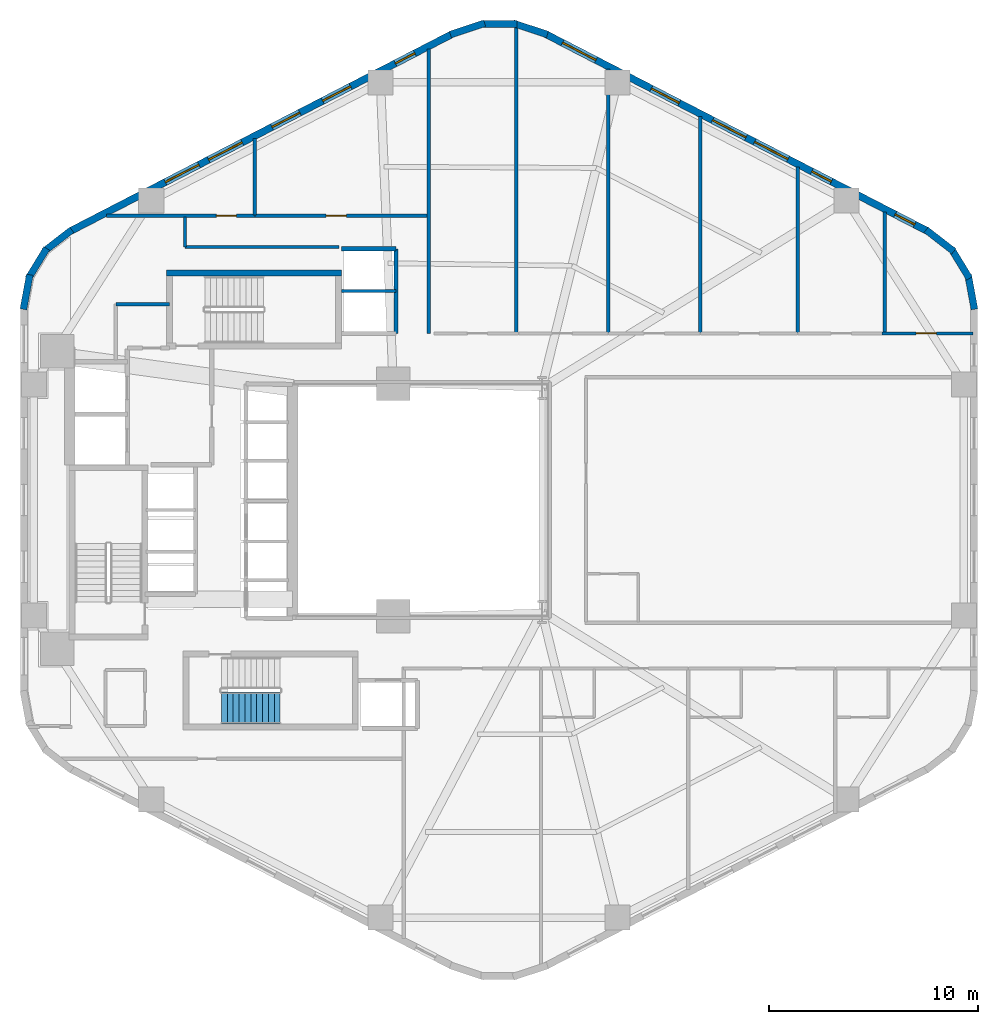
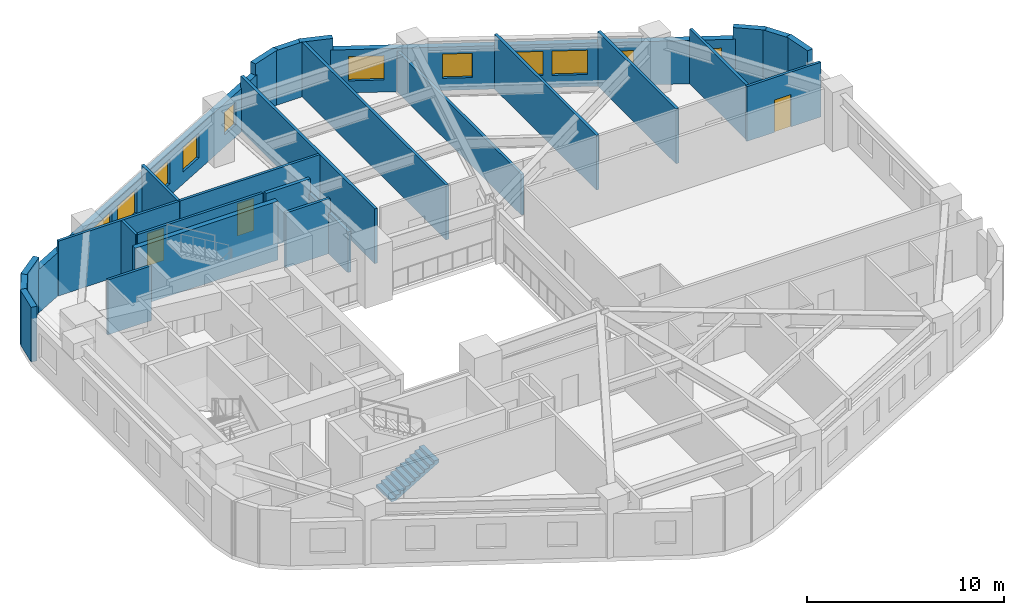
# One storey, part 5 of 7: 28 walls, 11 windows, 3 doors, 1 stair flight, 14 openings, 1 element without a shape of its own.
"""IFC4 building model written with IfcOpenShell, lengths in metres."""

from ifc_helpers import new_model, si_unit, direction, frame, frame_2d, origin, place, context, subcontext, project, spatial, polyline, rectangle, outline, extrude, material, layer, layer_set, type_object, element, fill, aggregate, save


model = new_model("IFC4")

# Units and contexts
model_context = context("Model", 3, precision=1e-05, world=origin(), true_north=direction((0.0, 1.0)))
body_context = subcontext(model_context, "Body", "Model", "MODEL_VIEW")
ifc_project = project(units=[si_unit("LENGTHUNIT", "METRE"), si_unit("AREAUNIT", "SQUARE_METRE"), si_unit("VOLUMEUNIT", "CUBIC_METRE"), si_unit("PLANEANGLEUNIT", "RADIAN"), si_unit("MASSUNIT", "GRAM", prefix="KILO"), si_unit("THERMODYNAMICTEMPERATUREUNIT", "KELVIN"), si_unit("POWERUNIT", "WATT")], contexts=[model_context])

# Site, building, storey
site_placement = place(None, origin())
site = spatial("IfcSite", under=ifc_project, at=site_placement, CompositionType="ELEMENT")
building_placement = place(site_placement, origin())
building = spatial("IfcBuilding", under=site, at=building_placement, Name="Skarre Station Tower", CompositionType="ELEMENT")
storey_placement = place(building_placement, frame((0.0, 0.0, 85.39990234375)))
storey = spatial("IfcBuildingStorey", under=building, at=storey_placement, Name="L22", CompositionType="ELEMENT", Elevation=85.39990234375)

# Wall
ifc_material_1 = material(Name="Acoustic Steel-Stud Gypsum Partition", Category="steel")
ifc_layer_1 = layer(ifc_material_1, 0.14990234375, Name="Acoustic Steel-Stud Gypsum Partition")
ifc_layer_set_1 = layer_set([ifc_layer_1], Name="Acoustic Steel-Stud Gypsum Partition")
wall_type_1 = type_object("IfcWallType", Name="Fire-Rated Corridor Acoustic Partition 150", PredefinedType="PARTITIONING", material=ifc_layer_set_1)
wall_1_placement = place(storey_placement, frame((21.659912109375, 33.35009765625, 0.0), z_axis=(0.0, 0.0, 1.0), x_axis=(-1.0, 0.0, 0.0)))
element("IfcWall", 1, at=wall_1_placement, inside=storey, type_object=wall_type_1, Name="L22 Interior Partition WL-PT-L22-CNW-N1", PredefinedType="PARTITIONING", context=body_context, shape_type="SweptSolid", body=[
    extrude(rectangle(XDim=2.559814453125, YDim=0.14990234375, at=frame_2d((1.27978515625, 0.0))), origin(), (0.0, 0.0, 1.0), 3.39013671875),
])

# Wall, opening, door
wall_2_placement = place(storey_placement, frame((25.741943359375, 37.580078125, 0.0), z_axis=(0.0, 0.0, 1.0), x_axis=(-1.0, 0.0, 0.0)))
wall_2 = element("IfcWall", 2, at=wall_2_placement, inside=storey, type_object=wall_type_1, Name="L22 Interior Partition WL-PT-L22-NWW1-CW", PredefinedType="PARTITIONING", context=body_context, shape_type="SweptSolid", body=[
    extrude(rectangle(XDim=7.092041015625, YDim=0.14990234375, at=frame_2d((3.5458984375, 0.0))), origin(), (0.0, 0.0, 1.0), 3.39013671875),
])
opening_1_placement = place(wall_2_placement, frame((0.883056640625, 0.0, 0.0)))
opening_1 = element("IfcOpeningElement", 3, at=opening_1_placement, cuts=wall_2, Name="Opening DR-FD60", PredefinedType="OPENING", context=body_context, shape_type="SweptSolid", body=[
    extrude(rectangle(XDim=0.9599609375, YDim=2.0, at=frame_2d((0.47998046875, 1.0))), frame((0.0, 0.0849609375, 0.0), z_axis=(0.0, -1.0, 0.0), x_axis=(1.0, 0.0, 0.0)), (0.0, 0.0, 1.0), 0.169921875),
])
ifc_material_2 = material(Name="Nordic White-Oak Veneer Solid-Core Fire Leaf", Category="wood")
door_type = type_object("IfcDoorType", Name="Corridor Suite Entry Fire Door FD60 960x2150", OperationType="SINGLE_SWING_LEFT", PredefinedType="DOOR", material=ifc_material_2)
door_1_placement = place(opening_1_placement, origin())
door_1 = element("IfcDoor", 4, at=door_1_placement, inside=storey, type_object=door_type, Name="L22 NWW1 Entry Door", OperationType="SINGLE_SWING_LEFT", OverallHeight=2.0, OverallWidth=0.9599609375, PredefinedType="DOOR", context=body_context, shape_type="SweptSolid", body=[
    extrude(rectangle(XDim=0.9599609375, YDim=2.0, at=frame_2d((0.47998046875, 1.0))), frame((0.0, 0.02490234375, 0.0), z_axis=(0.0, -1.0, 0.0), x_axis=(1.0, 0.0, 0.0)), (0.0, 0.0, 1.0), 0.050048828125),
])
fill(opening_1, door_1)

wall_3_placement = place(storey_placement, frame((33.9619140625, 37.580078125, 0.0), z_axis=(0.0, 0.0, 1.0), x_axis=(-1.0, 0.0, 0.0)))
wall_3 = element("IfcWall", 5, at=wall_3_placement, inside=storey, type_object=wall_type_1, Name="L22 Interior Partition WL-PT-L22-NWW2-CW", PredefinedType="PARTITIONING", context=body_context, shape_type="SweptSolid", body=[
    extrude(rectangle(XDim=8.2099609375, YDim=0.14990234375, at=frame_2d((4.10498046875, 0.0))), origin(), (0.0, 0.0, 1.0), 3.39013671875),
])
opening_2_placement = place(wall_3_placement, frame((3.85009765625, 0.0, 0.0)))
opening_2 = element("IfcOpeningElement", 6, at=opening_2_placement, cuts=wall_3, Name="Opening DR-FD60", PredefinedType="OPENING", context=body_context, shape_type="SweptSolid", body=[
    extrude(rectangle(XDim=0.9599609375, YDim=2.0, at=frame_2d((0.47998046875, 1.0))), frame((0.0, 0.0849609375, 0.0), z_axis=(0.0, -1.0, 0.0), x_axis=(1.0, 0.0, 0.0)), (0.0, 0.0, 1.0), 0.169921875),
])
door_2_placement = place(opening_2_placement, origin())
door_2 = element("IfcDoor", 7, at=door_2_placement, inside=storey, type_object=door_type, Name="L22 NWW2 Entry Door", OperationType="SINGLE_SWING_LEFT", OverallHeight=2.0, OverallWidth=0.9599609375, PredefinedType="DOOR", context=body_context, shape_type="SweptSolid", body=[
    extrude(rectangle(XDim=0.9599609375, YDim=2.0, at=frame_2d((0.47998046875, 1.0))), frame((0.0, 0.02490234375, 0.0), z_axis=(0.0, -1.0, 0.0), x_axis=(1.0, 0.0, 0.0)), (0.0, 0.0, 1.0), 0.050048828125),
])
fill(opening_2, door_2)

wall_4_placement = place(storey_placement, frame((60.031982421875, 31.9599609375, 0.0), z_axis=(0.0, 0.0, 1.0), x_axis=(-1.0, 0.0, 0.0)))
wall_4 = element("IfcWall", 8, at=wall_4_placement, inside=storey, type_object=wall_type_1, Name="L22 Interior Partition WL-PT-L22-NW6-CW", PredefinedType="PARTITIONING", context=body_context, shape_type="SweptSolid", body=[
    extrude(rectangle(XDim=4.330078125, YDim=0.14990234375, at=frame_2d((2.1650390625, 0.0))), origin(), (0.0, 0.0, 1.0), 3.39013671875),
])
opening_3_placement = place(wall_4_placement, frame((1.741943359375, 0.0, 0.0)))
opening_3 = element("IfcOpeningElement", 9, at=opening_3_placement, cuts=wall_4, Name="Opening DR-FD60", PredefinedType="OPENING", context=body_context, shape_type="SweptSolid", body=[
    extrude(rectangle(XDim=0.9599609375, YDim=2.0, at=frame_2d((0.47998046875, 1.0))), frame((0.0, 0.0849609375, 0.0), z_axis=(0.0, -1.0, 0.0), x_axis=(1.0, 0.0, 0.0)), (0.0, 0.0, 1.0), 0.169921875),
])
door_3_placement = place(opening_3_placement, origin())
door_3 = element("IfcDoor", 10, at=door_3_placement, inside=storey, type_object=door_type, Name="L22 NW6 Entry Door", OperationType="SINGLE_SWING_LEFT", OverallHeight=2.0, OverallWidth=0.9599609375, PredefinedType="DOOR", context=body_context, shape_type="SweptSolid", body=[
    extrude(rectangle(XDim=0.9599609375, YDim=2.0, at=frame_2d((0.47998046875, 1.0))), frame((0.0, 0.02490234375, 0.0), z_axis=(0.0, -1.0, 0.0), x_axis=(1.0, 0.0, 0.0)), (0.0, 0.0, 1.0), 0.050048828125),
])
fill(opening_3, door_3)

# Walls
wall_5_placement = place(storey_placement, frame((29.7529296875, 36.080078125, 0.0), z_axis=(0.0, 0.0, 1.0), x_axis=(-1.0, 0.0, 0.0)))
element("IfcWall", 11, at=wall_5_placement, inside=storey, type_object=wall_type_1, Name="L22 Interior Partition WL-PT-L22-CSEAL-1", PredefinedType="PARTITIONING", context=body_context, shape_type="SweptSolid", body=[
    extrude(rectangle(XDim=7.35302734375, YDim=0.14990234375, at=frame_2d((3.676513671875, 0.0))), origin(), (0.0, 0.0, 1.0), 3.39013671875),
])
wall_6_placement = place(storey_placement, frame((22.39990234375, 36.080078125, 0.0), z_axis=(0.0, 0.0, 1.0), x_axis=(0.0, 1.0, 0.0)))
element("IfcWall", 12, at=wall_6_placement, inside=storey, type_object=wall_type_1, Name="L22 Interior Partition WL-PT-L22-CSEAL-2", PredefinedType="PARTITIONING", context=body_context, shape_type="SweptSolid", body=[
    extrude(rectangle(XDim=1.429931640625, YDim=0.14990234375, at=frame_2d((0.71484375, 0.0))), origin(), (0.0, 0.0, 1.0), 3.39013671875),
])

# Wall, openings, windows
ifc_material_3 = material(Name="Precast concrete C45/55", Category="concrete")
ifc_layer_2 = layer(ifc_material_3, 0.340087890625, Name="Precast concrete C45/55")
ifc_layer_set_2 = layer_set([ifc_layer_2], Name="Precast concrete C45/55")
wall_type_2 = type_object("IfcWallType", Name="Nordic Honed Precast Facet Wall 340", PredefinedType="STANDARD", material=ifc_layer_set_2)
wall_7_placement = place(storey_placement, frame((39.631103515625, 46.257080078125, 0.0), z_axis=(0.0, 0.0, 1.0), x_axis=(0.888634413993, -0.458616264721, 0.0)))
wall_7 = element("IfcWall", 13, at=wall_7_placement, inside=storey, type_object=wall_type_2, Name="L22 Facet 0 Nordic Precast Masonry Wall", PredefinedType="STANDARD", context=body_context, shape_type="SweptSolid", body=[
    extrude(rectangle(XDim=20.53125, YDim=0.340087890625, at=frame_2d((10.265625, 0.0))), origin(), (0.0, 0.0, 1.0), 2.68408203125),
])
opening_4_placement = place(wall_7_placement, frame((0.906982421875, 0.0, 0.75)))
opening_4 = element("IfcOpeningElement", 14, at=opening_4_placement, cuts=wall_7, Name="Opening WN-Z1A", PredefinedType="OPENING", context=body_context, shape_type="SweptSolid", body=[
    extrude(rectangle(XDim=1.800048828125, YDim=1.5, at=frame_2d((0.89990234375, 0.75))), frame((0.0, 0.179931640625, 0.0), z_axis=(0.0, -1.0, 0.0), x_axis=(1.0, 0.0, 0.0)), (0.0, 0.0, 1.0), 0.360107421875),
])
opening_5_placement = place(wall_7_placement, frame((5.681884765625, 0.0, 0.75)))
opening_5 = element("IfcOpeningElement", 15, at=opening_5_placement, cuts=wall_7, Name="Opening WN-Z1B", PredefinedType="OPENING", context=body_context, shape_type="SweptSolid", body=[
    extrude(rectangle(XDim=1.5, YDim=1.5, at=frame_2d((0.75, 0.75))), frame((0.0, 0.179931640625, 0.0), z_axis=(0.0, -1.0, 0.0), x_axis=(1.0, 0.0, 0.0)), (0.0, 0.0, 1.0), 0.360107421875),
])
opening_6_placement = place(wall_7_placement, frame((8.970947265625, 0.0, 0.75)))
opening_6 = element("IfcOpeningElement", 16, at=opening_6_placement, cuts=wall_7, Name="Opening WN-Z1A", PredefinedType="OPENING", context=body_context, shape_type="SweptSolid", body=[
    extrude(rectangle(XDim=1.800048828125, YDim=1.5, at=frame_2d((0.89990234375, 0.75))), frame((0.0, 0.179931640625, 0.0), z_axis=(0.0, -1.0, 0.0), x_axis=(1.0, 0.0, 0.0)), (0.0, 0.0, 1.0), 0.360107421875),
])
opening_7_placement = place(wall_7_placement, frame((11.22900390625, 0.0, 0.75)))
opening_7 = element("IfcOpeningElement", 17, at=opening_7_placement, cuts=wall_7, Name="Opening WN-Z1A", PredefinedType="OPENING", context=body_context, shape_type="SweptSolid", body=[
    extrude(rectangle(XDim=1.800048828125, YDim=1.5, at=frame_2d((0.89990234375, 0.75))), frame((0.0, 0.179931640625, 0.0), z_axis=(0.0, -1.0, 0.0), x_axis=(1.0, 0.0, 0.0)), (0.0, 0.0, 1.0), 0.360107421875),
])
opening_8_placement = place(wall_7_placement, frame((14.30908203125, 0.0, 0.75)))
opening_8 = element("IfcOpeningElement", 18, at=opening_8_placement, cuts=wall_7, Name="Opening WN-SLT", PredefinedType="OPENING", context=body_context, shape_type="SweptSolid", body=[
    extrude(rectangle(XDim=1.050048828125, YDim=1.39990234375, at=frame_2d((0.52490234375, 0.699951171875))), frame((0.0, 0.179931640625, 0.0), z_axis=(0.0, -1.0, 0.0), x_axis=(1.0, 0.0, 0.0)), (0.0, 0.0, 1.0), 0.360107421875),
])
opening_9_placement = place(wall_7_placement, frame((18.7880859375, 0.0, 0.75)))
opening_9 = element("IfcOpeningElement", 19, at=opening_9_placement, cuts=wall_7, Name="Opening WN-SLT", PredefinedType="OPENING", context=body_context, shape_type="SweptSolid", body=[
    extrude(rectangle(XDim=1.050048828125, YDim=1.39990234375, at=frame_2d((0.52490234375, 0.699951171875))), frame((0.0, 0.179931640625, 0.0), z_axis=(0.0, -1.0, 0.0), x_axis=(1.0, 0.0, 0.0)), (0.0, 0.0, 1.0), 0.360107421875),
])
ifc_material_4 = material(Name="Low-Iron Triple Glazing with Bronze Anodized Frame", Category="glass")
window_type_1 = type_object("IfcWindowType", Name="Nordic Corner Slot Window 1050x1400", PartitioningType="SINGLE_PANEL", PredefinedType="WINDOW", material=ifc_material_4)
window_1_placement = place(opening_8_placement, origin())
window_1 = element("IfcWindow", 20, at=window_1_placement, inside=storey, type_object=window_type_1, Name="L22 Facade Window WL-FAC-L22-F0-5", OverallHeight=1.39990234375, OverallWidth=1.050048828125, PartitioningType="SINGLE_PANEL", PredefinedType="WINDOW", context=body_context, shape_type="SweptSolid", body=[
    extrude(rectangle(XDim=1.050048828125, YDim=1.39990234375, at=frame_2d((0.52490234375, 0.699951171875))), frame((0.0, 0.030029296875, 0.0), z_axis=(0.0, -1.0, 0.0), x_axis=(1.0, 0.0, 0.0)), (0.0, 0.0, 1.0), 0.06005859375),
])
fill(opening_8, window_1)
window_2_placement = place(opening_9_placement, origin())
window_2 = element("IfcWindow", 21, at=window_2_placement, inside=storey, type_object=window_type_1, Name="L22 Facade Window WL-FAC-L22-F0-6", OverallHeight=1.39990234375, OverallWidth=1.050048828125, PartitioningType="SINGLE_PANEL", PredefinedType="WINDOW", context=body_context, shape_type="SweptSolid", body=[
    extrude(rectangle(XDim=1.050048828125, YDim=1.39990234375, at=frame_2d((0.52490234375, 0.699951171875))), frame((0.0, 0.030029296875, 0.0), z_axis=(0.0, -1.0, 0.0), x_axis=(1.0, 0.0, 0.0)), (0.0, 0.0, 1.0), 0.06005859375),
])
fill(opening_9, window_2)
window_type_2 = type_object("IfcWindowType", Name="Nordic Punched Triple-Glazed Window 1500x1500", PartitioningType="SINGLE_PANEL", PredefinedType="WINDOW", material=ifc_material_4)
window_3_placement = place(opening_5_placement, origin())
window_3 = element("IfcWindow", 22, at=window_3_placement, inside=storey, type_object=window_type_2, Name="L22 Facade Window WL-FAC-L22-F0-2", OverallHeight=1.5, OverallWidth=1.5, PartitioningType="SINGLE_PANEL", PredefinedType="WINDOW", context=body_context, shape_type="SweptSolid", body=[
    extrude(rectangle(XDim=1.5, YDim=1.5, at=frame_2d((0.75, 0.75))), frame((0.0, 0.030029296875, 0.0), z_axis=(0.0, -1.0, 0.0), x_axis=(1.0, 0.0, 0.0)), (0.0, 0.0, 1.0), 0.06005859375),
])
fill(opening_5, window_3)
window_type_3 = type_object("IfcWindowType", Name="Nordic Punched Triple-Glazed Window 1800x1500", PartitioningType="SINGLE_PANEL", PredefinedType="WINDOW", material=ifc_material_4)
window_4_placement = place(opening_4_placement, origin())
window_4 = element("IfcWindow", 23, at=window_4_placement, inside=storey, type_object=window_type_3, Name="L22 Facade Window WL-FAC-L22-F0-1", OverallHeight=1.5, OverallWidth=1.800048828125, PartitioningType="SINGLE_PANEL", PredefinedType="WINDOW", context=body_context, shape_type="SweptSolid", body=[
    extrude(rectangle(XDim=1.800048828125, YDim=1.5, at=frame_2d((0.89990234375, 0.75))), frame((0.0, 0.030029296875, 0.0), z_axis=(0.0, -1.0, 0.0), x_axis=(1.0, 0.0, 0.0)), (0.0, 0.0, 1.0), 0.06005859375),
])
fill(opening_4, window_4)
window_5_placement = place(opening_6_placement, origin())
window_5 = element("IfcWindow", 24, at=window_5_placement, inside=storey, type_object=window_type_3, Name="L22 Facade Window WL-FAC-L22-F0-3", OverallHeight=1.5, OverallWidth=1.800048828125, PartitioningType="SINGLE_PANEL", PredefinedType="WINDOW", context=body_context, shape_type="SweptSolid", body=[
    extrude(rectangle(XDim=1.800048828125, YDim=1.5, at=frame_2d((0.89990234375, 0.75))), frame((0.0, 0.030029296875, 0.0), z_axis=(0.0, -1.0, 0.0), x_axis=(1.0, 0.0, 0.0)), (0.0, 0.0, 1.0), 0.06005859375),
])
fill(opening_6, window_5)
window_6_placement = place(opening_7_placement, origin())
window_6 = element("IfcWindow", 25, at=window_6_placement, inside=storey, type_object=window_type_3, Name="L22 Facade Window WL-FAC-L22-F0-4", OverallHeight=1.5, OverallWidth=1.800048828125, PartitioningType="SINGLE_PANEL", PredefinedType="WINDOW", context=body_context, shape_type="SweptSolid", body=[
    extrude(rectangle(XDim=1.800048828125, YDim=1.5, at=frame_2d((0.89990234375, 0.75))), frame((0.0, 0.030029296875, 0.0), z_axis=(0.0, -1.0, 0.0), x_axis=(1.0, 0.0, 0.0)), (0.0, 0.0, 1.0), 0.06005859375),
])
fill(opening_7, window_6)

wall_8_placement = place(storey_placement, frame((16.924072265625, 36.841064453125, 0.0), z_axis=(0.0, 0.0, 1.0), x_axis=(0.888634413993, 0.458616264721, 0.0)))
wall_8 = element("IfcWall", 26, at=wall_8_placement, inside=storey, type_object=wall_type_2, Name="L22 Facet 1 Nordic Precast Masonry Wall", PredefinedType="STANDARD", context=body_context, shape_type="SweptSolid", body=[
    extrude(rectangle(XDim=20.53125, YDim=0.340087890625, at=frame_2d((10.265625, 0.0))), origin(), (0.0, 0.0, 1.0), 2.68408203125),
])
opening_10_placement = place(wall_8_placement, frame((5.111083984375, 0.0, 0.75)))
opening_10 = element("IfcOpeningElement", 27, at=opening_10_placement, cuts=wall_8, Name="Opening WN-Z1A", PredefinedType="OPENING", context=body_context, shape_type="SweptSolid", body=[
    extrude(rectangle(XDim=1.800048828125, YDim=1.5, at=frame_2d((0.89990234375, 0.75))), frame((0.0, 0.179931640625, 0.0), z_axis=(0.0, -1.0, 0.0), x_axis=(1.0, 0.0, 0.0)), (0.0, 0.0, 1.0), 0.360107421875),
])
opening_11_placement = place(wall_8_placement, frame((7.43994140625, 0.0, 0.75)))
opening_11 = element("IfcOpeningElement", 28, at=opening_11_placement, cuts=wall_8, Name="Opening WN-Z1A", PredefinedType="OPENING", context=body_context, shape_type="SweptSolid", body=[
    extrude(rectangle(XDim=1.800048828125, YDim=1.5, at=frame_2d((0.89990234375, 0.75))), frame((0.0, 0.179931640625, 0.0), z_axis=(0.0, -1.0, 0.0), x_axis=(1.0, 0.0, 0.0)), (0.0, 0.0, 1.0), 0.360107421875),
])
opening_12_placement = place(wall_8_placement, frame((10.843017578125, 0.0, 0.75)))
opening_12 = element("IfcOpeningElement", 29, at=opening_12_placement, cuts=wall_8, Name="Opening WN-Z1B", PredefinedType="OPENING", context=body_context, shape_type="SweptSolid", body=[
    extrude(rectangle(XDim=1.5, YDim=1.5, at=frame_2d((0.75, 0.75))), frame((0.0, 0.179931640625, 0.0), z_axis=(0.0, -1.0, 0.0), x_axis=(1.0, 0.0, 0.0)), (0.0, 0.0, 1.0), 0.360107421875),
])
opening_13_placement = place(wall_8_placement, frame((13.571044921875, 0.0, 0.75)))
opening_13 = element("IfcOpeningElement", 30, at=opening_13_placement, cuts=wall_8, Name="Opening WN-Z1B", PredefinedType="OPENING", context=body_context, shape_type="SweptSolid", body=[
    extrude(rectangle(XDim=1.5, YDim=1.5, at=frame_2d((0.75, 0.75))), frame((0.0, 0.179931640625, 0.0), z_axis=(0.0, -1.0, 0.0), x_axis=(1.0, 0.0, 0.0)), (0.0, 0.0, 1.0), 0.360107421875),
])
opening_14_placement = place(wall_8_placement, frame((17.47607421875, 0.0, 0.75)))
opening_14 = element("IfcOpeningElement", 31, at=opening_14_placement, cuts=wall_8, Name="Opening WN-SLT", PredefinedType="OPENING", context=body_context, shape_type="SweptSolid", body=[
    extrude(rectangle(XDim=1.050048828125, YDim=1.39990234375, at=frame_2d((0.52490234375, 0.699951171875))), frame((0.0, 0.179931640625, 0.0), z_axis=(0.0, -1.0, 0.0), x_axis=(1.0, 0.0, 0.0)), (0.0, 0.0, 1.0), 0.360107421875),
])
window_7_placement = place(opening_14_placement, origin())
window_7 = element("IfcWindow", 32, at=window_7_placement, inside=storey, type_object=window_type_1, Name="L22 Facade Window WL-FAC-L22-F1-5", OverallHeight=1.39990234375, OverallWidth=1.050048828125, PartitioningType="SINGLE_PANEL", PredefinedType="WINDOW", context=body_context, shape_type="SweptSolid", body=[
    extrude(rectangle(XDim=1.050048828125, YDim=1.39990234375, at=frame_2d((0.52490234375, 0.699951171875))), frame((0.0, 0.030029296875, 0.0), z_axis=(0.0, -1.0, 0.0), x_axis=(1.0, 0.0, 0.0)), (0.0, 0.0, 1.0), 0.06005859375),
])
fill(opening_14, window_7)
window_8_placement = place(opening_12_placement, origin())
window_8 = element("IfcWindow", 33, at=window_8_placement, inside=storey, type_object=window_type_2, Name="L22 Facade Window WL-FAC-L22-F1-3", OverallHeight=1.5, OverallWidth=1.5, PartitioningType="SINGLE_PANEL", PredefinedType="WINDOW", context=body_context, shape_type="SweptSolid", body=[
    extrude(rectangle(XDim=1.5, YDim=1.5, at=frame_2d((0.75, 0.75))), frame((0.0, 0.030029296875, 0.0), z_axis=(0.0, -1.0, 0.0), x_axis=(1.0, 0.0, 0.0)), (0.0, 0.0, 1.0), 0.06005859375),
])
fill(opening_12, window_8)
window_9_placement = place(opening_13_placement, origin())
window_9 = element("IfcWindow", 34, at=window_9_placement, inside=storey, type_object=window_type_2, Name="L22 Facade Window WL-FAC-L22-F1-4", OverallHeight=1.5, OverallWidth=1.5, PartitioningType="SINGLE_PANEL", PredefinedType="WINDOW", context=body_context, shape_type="SweptSolid", body=[
    extrude(rectangle(XDim=1.5, YDim=1.5, at=frame_2d((0.75, 0.75))), frame((0.0, 0.030029296875, 0.0), z_axis=(0.0, -1.0, 0.0), x_axis=(1.0, 0.0, 0.0)), (0.0, 0.0, 1.0), 0.06005859375),
])
fill(opening_13, window_9)
window_10_placement = place(opening_10_placement, origin())
window_10 = element("IfcWindow", 35, at=window_10_placement, inside=storey, type_object=window_type_3, Name="L22 Facade Window WL-FAC-L22-F1-1", OverallHeight=1.5, OverallWidth=1.800048828125, PartitioningType="SINGLE_PANEL", PredefinedType="WINDOW", context=body_context, shape_type="SweptSolid", body=[
    extrude(rectangle(XDim=1.800048828125, YDim=1.5, at=frame_2d((0.89990234375, 0.75))), frame((0.0, 0.030029296875, 0.0), z_axis=(0.0, -1.0, 0.0), x_axis=(1.0, 0.0, 0.0)), (0.0, 0.0, 1.0), 0.06005859375),
])
fill(opening_10, window_10)
window_11_placement = place(opening_11_placement, origin())
window_11 = element("IfcWindow", 36, at=window_11_placement, inside=storey, type_object=window_type_3, Name="L22 Facade Window WL-FAC-L22-F1-2", OverallHeight=1.5, OverallWidth=1.800048828125, PartitioningType="SINGLE_PANEL", PredefinedType="WINDOW", context=body_context, shape_type="SweptSolid", body=[
    extrude(rectangle(XDim=1.800048828125, YDim=1.5, at=frame_2d((0.89990234375, 0.75))), frame((0.0, 0.030029296875, 0.0), z_axis=(0.0, -1.0, 0.0), x_axis=(1.0, 0.0, 0.0)), (0.0, 0.0, 1.0), 0.06005859375),
])
fill(opening_11, window_11)

# Walls
ifc_layer_3 = layer(ifc_material_3, 0.330078125, Name="Precast concrete C45/55")
ifc_layer_set_3 = layer_set([ifc_layer_3], Name="Precast concrete C45/55")
wall_type_3 = type_object("IfcWallType", Name="Nordic Rounded Corner Precast Wall 330", PredefinedType="STANDARD", material=ifc_layer_set_3)
wall_9_placement = place(storey_placement, frame((57.802001953125, 36.90087890625, 0.0), z_axis=(0.0, 0.0, 1.0), x_axis=(0.790691856293, -0.61221433207, 0.0)))
element("IfcWall", 37, at=wall_9_placement, inside=storey, type_object=wall_type_3, Name="L22 Rounded Corner Precast Wall F0-1", PredefinedType="STANDARD", context=body_context, shape_type="SweptSolid", body=[
    extrude(rectangle(XDim=1.67578125, YDim=0.330078125, at=frame_2d((0.837890625, 0.0))), origin(), (0.0, 0.0, 1.0), 3.39013671875),
])
wall_10_placement = place(storey_placement, frame((59.001953125, 36.014892578125, 0.0), z_axis=(0.0, 0.0, 1.0), x_axis=(0.520584129191, -0.853810379671, 0.0)))
element("IfcWall", 38, at=wall_10_placement, inside=storey, type_object=wall_type_3, Name="L22 Rounded Corner Precast Wall F0-2", PredefinedType="STANDARD", context=body_context, shape_type="SweptSolid", body=[
    extrude(rectangle(XDim=1.677001953125, YDim=0.330078125, at=frame_2d((0.83837890625, 0.0))), origin(), (0.0, 0.0, 1.0), 3.39013671875),
])
wall_11_placement = place(storey_placement, frame((59.80810546875, 34.758056640625, 0.0), z_axis=(0.0, 0.0, 1.0), x_axis=(0.181714143354, -0.983351397063, 0.0)))
element("IfcWall", 39, at=wall_11_placement, inside=storey, type_object=wall_type_3, Name="L22 Rounded Corner Precast Wall F0-3", PredefinedType="STANDARD", context=body_context, shape_type="SweptSolid", body=[
    extrude(rectangle(XDim=1.677978515625, YDim=0.330078125, at=frame_2d((0.8388671875, 0.0))), origin(), (0.0, 0.0, 1.0), 3.39013671875),
])
wall_12_placement = place(storey_placement, frame((35.0810546875, 46.23095703125, 0.0), z_axis=(0.0, 0.0, 1.0), x_axis=(0.94976901097, 0.312951794691, 0.0)))
element("IfcWall", 40, at=wall_12_placement, inside=storey, type_object=wall_type_3, Name="L22 Rounded Corner Precast Wall F1-1", PredefinedType="STANDARD", context=body_context, shape_type="SweptSolid", body=[
    extrude(rectangle(XDim=1.722412109375, YDim=0.330078125, at=frame_2d((0.861328125, 0.0))), origin(), (0.0, 0.0, 1.0), 3.39013671875),
])
wall_13_placement = place(storey_placement, frame((36.5390625, 46.740966796875, 0.0), z_axis=(0.0, 0.0, 1.0), x_axis=(1.0, 0.0, 0.0)))
element("IfcWall", 41, at=wall_13_placement, inside=storey, type_object=wall_type_3, Name="L22 Rounded Corner Precast Wall F1-2", PredefinedType="STANDARD", context=body_context, shape_type="SweptSolid", body=[
    extrude(rectangle(XDim=1.721923828125, YDim=0.330078125, at=frame_2d((0.86083984375, 0.0))), origin(), (0.0, 0.0, 1.0), 3.39013671875),
])
wall_14_placement = place(storey_placement, frame((38.0830078125, 46.77001953125, 0.0), z_axis=(0.0, 0.0, 1.0), x_axis=(0.94976901097, -0.312951794691, 0.0)))
element("IfcWall", 42, at=wall_14_placement, inside=storey, type_object=wall_type_3, Name="L22 Rounded Corner Precast Wall F1-3", PredefinedType="STANDARD", context=body_context, shape_type="SweptSolid", body=[
    extrude(rectangle(XDim=1.722412109375, YDim=0.330078125, at=frame_2d((0.861328125, 0.0))), origin(), (0.0, 0.0, 1.0), 3.39013671875),
])
wall_15_placement = place(storey_placement, frame((14.68701171875, 33.10791015625, 0.0), z_axis=(0.0, 0.0, 1.0), x_axis=(0.181714143354, 0.983351397063, 0.0)))
element("IfcWall", 43, at=wall_15_placement, inside=storey, type_object=wall_type_3, Name="L22 Rounded Corner Precast Wall F2-1", PredefinedType="STANDARD", context=body_context, shape_type="SweptSolid", body=[
    extrude(rectangle(XDim=1.677978515625, YDim=0.330078125, at=frame_2d((0.8388671875, 0.0))), origin(), (0.0, 0.0, 1.0), 3.39013671875),
])
wall_16_placement = place(storey_placement, frame((14.925048828125, 34.5830078125, 0.0), z_axis=(0.0, 0.0, 1.0), x_axis=(0.520584129191, 0.853810379671, 0.0)))
element("IfcWall", 44, at=wall_16_placement, inside=storey, type_object=wall_type_3, Name="L22 Rounded Corner Precast Wall F2-2", PredefinedType="STANDARD", context=body_context, shape_type="SweptSolid", body=[
    extrude(rectangle(XDim=1.677001953125, YDim=0.330078125, at=frame_2d((0.83837890625, 0.0))), origin(), (0.0, 0.0, 1.0), 3.39013671875),
])
wall_17_placement = place(storey_placement, frame((15.673095703125, 35.875, 0.0), z_axis=(0.0, 0.0, 1.0), x_axis=(0.790691856293, 0.61221433207, 0.0)))
element("IfcWall", 45, at=wall_17_placement, inside=storey, type_object=wall_type_3, Name="L22 Rounded Corner Precast Wall F2-3", PredefinedType="STANDARD", context=body_context, shape_type="SweptSolid", body=[
    extrude(rectangle(XDim=1.67578125, YDim=0.330078125, at=frame_2d((0.837890625, 0.0))), origin(), (0.0, 0.0, 1.0), 3.39013671875),
])
ifc_material_5 = material(Name="Concrete C50/60", Category="concrete")
ifc_layer_4 = layer(ifc_material_5, 0.280029296875, Name="Concrete C50/60")
ifc_layer_set_4 = layer_set([ifc_layer_4], Name="Concrete C50/60")
wall_type_4 = type_object("IfcWallType", Name="RC Core Shear Wall 280", PredefinedType="SHEAR", material=ifc_layer_set_4)
wall_18_placement = place(storey_placement, frame((29.8798828125, 34.840087890625, 0.0), z_axis=(0.0, 0.0, 1.0), x_axis=(-1.0, 0.0, 0.0)))
element("IfcWall", 46, at=wall_18_placement, inside=storey, type_object=wall_type_4, Name="L22 Stair ST-3 North Shear Wall", PredefinedType="SHEAR", context=body_context, shape_type="SweptSolid", body=[
    extrude(rectangle(XDim=8.35986328125, YDim=0.280029296875, at=frame_2d((4.179931640625, 0.0))), origin(), (0.0, 0.0, 1.0), 3.650146484375),
])
ifc_material_6 = material(Name="Gypsum Concrete Shaft Assembly C30/37", Category="concrete")
ifc_layer_5 = layer(ifc_material_6, 0.199951171875, Name="Gypsum Concrete Shaft Assembly C30/37")
ifc_layer_set_5 = layer_set([ifc_layer_5], Name="Gypsum Concrete Shaft Assembly C30/37")
wall_type_5 = type_object("IfcWallType", Name="Shaft & Core Fire Partition 200", PredefinedType="PARTITIONING", material=ifc_layer_set_5)
wall_19_placement = place(storey_placement, frame((32.47998046875, 31.949951171875, 0.0), z_axis=(0.0, 0.0, 1.0), x_axis=(0.0, 1.0, 0.0)))
element("IfcWall", 47, at=wall_19_placement, inside=storey, type_object=wall_type_5, Name="L22 Interior Partition WL-PT-L22-EX-E", PredefinedType="PARTITIONING", context=body_context, shape_type="SweptSolid", body=[
    extrude(rectangle(XDim=4.050048828125, YDim=0.199951171875, at=frame_2d((2.02490234375, 0.0))), origin(), (0.0, 0.0, 1.0), 2.51318359375),
])
wall_20_placement = place(storey_placement, frame((29.8798828125, 36.0, 0.0), z_axis=(0.0, 0.0, 1.0), x_axis=(1.0, 0.0, 0.0)))
element("IfcWall", 48, at=wall_20_placement, inside=storey, type_object=wall_type_5, Name="L22 Interior Partition WL-PT-L22-EX-N", PredefinedType="PARTITIONING", context=body_context, shape_type="SweptSolid", body=[
    extrude(rectangle(XDim=2.60009765625, YDim=0.199951171875, at=frame_2d((1.300048828125, 0.0))), origin(), (0.0, 0.0, 1.0), 3.39013671875),
])
wall_21_placement = place(storey_placement, frame((29.875, 33.97998046875, 0.0), z_axis=(0.0, 0.0, 1.0), x_axis=(1.0, 0.0, 0.0)))
element("IfcWall", 49, at=wall_21_placement, inside=storey, type_object=wall_type_5, Name="L22 Interior Partition WL-PT-L22-EX-DIV", PredefinedType="PARTITIONING", context=body_context, shape_type="SweptSolid", body=[
    extrude(rectangle(XDim=2.60498046875, YDim=0.159912109375, at=frame_2d((1.302490234375, 0.0))), origin(), (0.0, 0.0, 1.0), 3.39013671875),
])
ifc_layer_6 = layer(ifc_material_1, 0.1650390625, Name="Acoustic Steel-Stud Gypsum Partition")
ifc_layer_set_6 = layer_set([ifc_layer_6], Name="Acoustic Steel-Stud Gypsum Partition")
wall_type_6 = type_object("IfcWallType", Name="Suite Demising Acoustic Partition 165", PredefinedType="PARTITIONING", material=ifc_layer_set_6)
wall_22_placement = place(storey_placement, frame((25.7470703125, 37.610107421875, 0.0), z_axis=(0.0, 0.0, 1.0), x_axis=(0.0, 1.0, 0.0)))
element("IfcWall", 50, at=wall_22_placement, inside=storey, type_object=wall_type_6, Name="L22 Interior Partition WL-PT-L22-NWW-P1", PredefinedType="PARTITIONING", context=body_context, shape_type="SweptSolid", body=[
    extrude(rectangle(XDim=3.64892578125, YDim=0.1650390625, at=frame_2d((1.824462890625, 0.0))), origin(), (0.0, 0.0, 1.0), 3.39013671875),
])
wall_23_placement = place(storey_placement, frame((34.0400390625, 31.9599609375, 0.0), z_axis=(0.0, 0.0, 1.0), x_axis=(0.0, 1.0, 0.0)))
element("IfcWall", 51, at=wall_23_placement, inside=storey, type_object=wall_type_6, Name="L22 Interior Partition WL-PT-L22-NW-WBND", PredefinedType="PARTITIONING", context=body_context, shape_type="SweptSolid", body=[
    extrude(rectangle(XDim=13.5791015625, YDim=0.1650390625, at=frame_2d((6.78955078125, 0.0))), origin(), (0.0, 0.0, 1.0), 3.39013671875),
])
wall_24_placement = place(storey_placement, frame((38.220947265625, 31.969970703125, 0.0), z_axis=(0.0, 0.0, 1.0), x_axis=(0.0, 1.0, 0.0)))
element("IfcWall", 52, at=wall_24_placement, inside=storey, type_object=wall_type_6, Name="L22 Interior Partition WL-PT-L22-NW-P1", PredefinedType="PARTITIONING", context=body_context, shape_type="SweptSolid", body=[
    extrude(rectangle(XDim=14.6220703125, YDim=0.1650390625, at=frame_2d((7.31103515625, 0.0))), origin(), (0.0, 0.0, 1.0), 3.39013671875),
])
wall_25_placement = place(storey_placement, frame((42.62109375, 31.969970703125, 0.0), z_axis=(0.0, 0.0, 1.0), x_axis=(0.0, 1.0, 0.0)))
element("IfcWall", 53, at=wall_25_placement, inside=storey, type_object=wall_type_6, Name="L22 Interior Partition WL-PT-L22-NW-P2", PredefinedType="PARTITIONING", context=body_context, shape_type="SweptSolid", body=[
    extrude(rectangle(XDim=12.609130859375, YDim=0.1650390625, at=frame_2d((6.3046875, 0.0))), origin(), (0.0, 0.0, 1.0), 2.51318359375),
])
wall_26_placement = place(storey_placement, frame((47.02197265625, 31.969970703125, 0.0), z_axis=(0.0, 0.0, 1.0), x_axis=(0.0, 1.0, 0.0)))
element("IfcWall", 54, at=wall_26_placement, inside=storey, type_object=wall_type_6, Name="L22 Interior Partition WL-PT-L22-NW-P3", PredefinedType="PARTITIONING", context=body_context, shape_type="SweptSolid", body=[
    extrude(rectangle(XDim=10.338134765625, YDim=0.1650390625, at=frame_2d((5.1689453125, 0.0))), origin(), (0.0, 0.0, 1.0), 3.39013671875),
])
wall_27_placement = place(storey_placement, frame((51.679931640625, 31.969970703125, 0.0), z_axis=(0.0, 0.0, 1.0), x_axis=(0.0, 1.0, 0.0)))
element("IfcWall", 55, at=wall_27_placement, inside=storey, type_object=wall_type_6, Name="L22 Interior Partition WL-PT-L22-NW-P4", PredefinedType="PARTITIONING", context=body_context, shape_type="SweptSolid", body=[
    extrude(rectangle(XDim=7.93408203125, YDim=0.1650390625, at=frame_2d((3.967041015625, 0.0))), origin(), (0.0, 0.0, 1.0), 3.39013671875),
])
wall_28_placement = place(storey_placement, frame((55.822021484375, 31.969970703125, 0.0), z_axis=(0.0, 0.0, 1.0), x_axis=(0.0, 1.0, 0.0)))
element("IfcWall", 56, at=wall_28_placement, inside=storey, type_object=wall_type_6, Name="L22 Interior Partition WL-PT-L22-NW-P5", PredefinedType="PARTITIONING", context=body_context, shape_type="SweptSolid", body=[
    extrude(rectangle(XDim=5.796142578125, YDim=0.1650390625, at=frame_2d((2.89794921875, 0.0))), origin(), (0.0, 0.0, 1.0), 3.39013671875),
])

# Stair, stair flight
ifc_material_7 = material(Name="Concrete C40/50", Category="concrete")
stair_type = type_object("IfcStairType", Name="Reinforced Concrete Exit Stair ST-2", PredefinedType="HALF_TURN_STAIR", material=ifc_material_7)
stair_placement = place(storey_placement, origin())
stair = element("IfcStair", 57, at=stair_placement, inside=storey, type_object=stair_type, Name="L22 Core Exit Stair ST-2", PredefinedType="HALF_TURN_STAIR")
stair_flight_type = type_object("IfcStairFlightType", Name="Reinforced Concrete Stair Flight ST-2", PredefinedType="STRAIGHT", material=ifc_material_7)
stair_flight_placement = place(storey_placement, frame((24.14990234375, 14.06005859375, 0.0), z_axis=(0.0, 0.0, 1.0), x_axis=(1.0, 0.0, 0.0)))
stair_flight = element("IfcStairFlight", 58, at=stair_flight_placement, type_object=stair_flight_type, Name="ST-2 flight 1", NumberOfRisers=11, NumberOfTreads=10, PredefinedType="STRAIGHT", RiserHeight=0.165909091, TreadLength=0.28, context=body_context, shape_type="SweptSolid", body=[
    extrude(outline(polyline([(0.0, 0.0), (0.0, 0.166015625), (0.280029296875, 0.166015625), (0.280029296875, 0.331787109375), (0.56005859375, 0.331787109375), (0.56005859375, 0.497802734375), (0.840087890625, 0.497802734375), (0.840087890625, 0.66357421875), (1.1201171875, 0.66357421875), (1.1201171875, 0.82958984375), (1.39990234375, 0.82958984375), (1.39990234375, 0.995361328125), (1.679931640625, 0.995361328125), (1.679931640625, 1.161376953125), (1.9599609375, 1.161376953125), (1.9599609375, 1.327392578125), (2.239990234375, 1.327392578125), (2.239990234375, 1.4931640625), (2.52001953125, 1.4931640625), (2.52001953125, 1.6591796875), (2.800048828125, 1.6591796875), (2.800048828125, 1.824951171875), (2.800048828125, 1.48486328125), (0.2939453125, 0.0), (0.0, 0.0)])), frame((0.0, 0.760009765625, 0.0), z_axis=(0.0, -1.0, 0.0), x_axis=(1.0, 0.0, 0.0)), (0.0, 0.0, 1.0), 1.52001953125),
])
aggregate(stair, [stair_flight])

save(model, "model.ifc")
